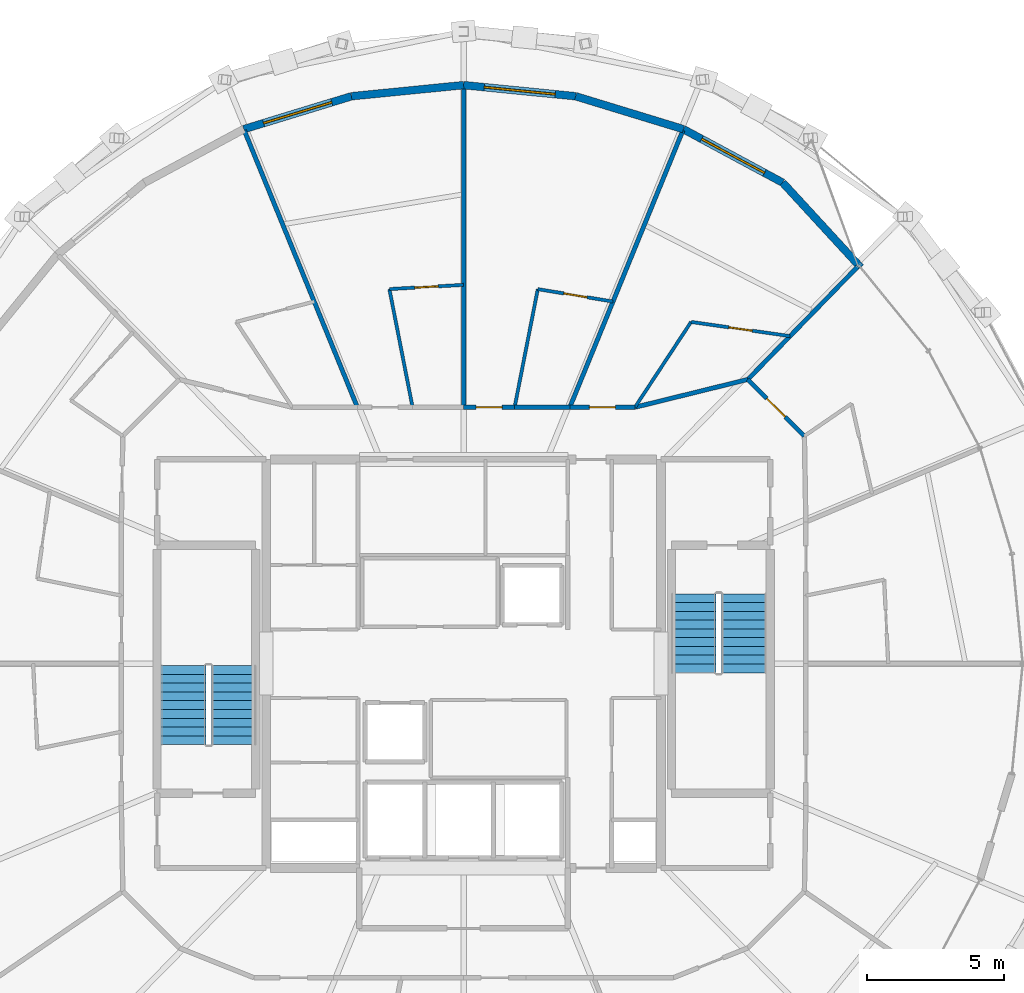
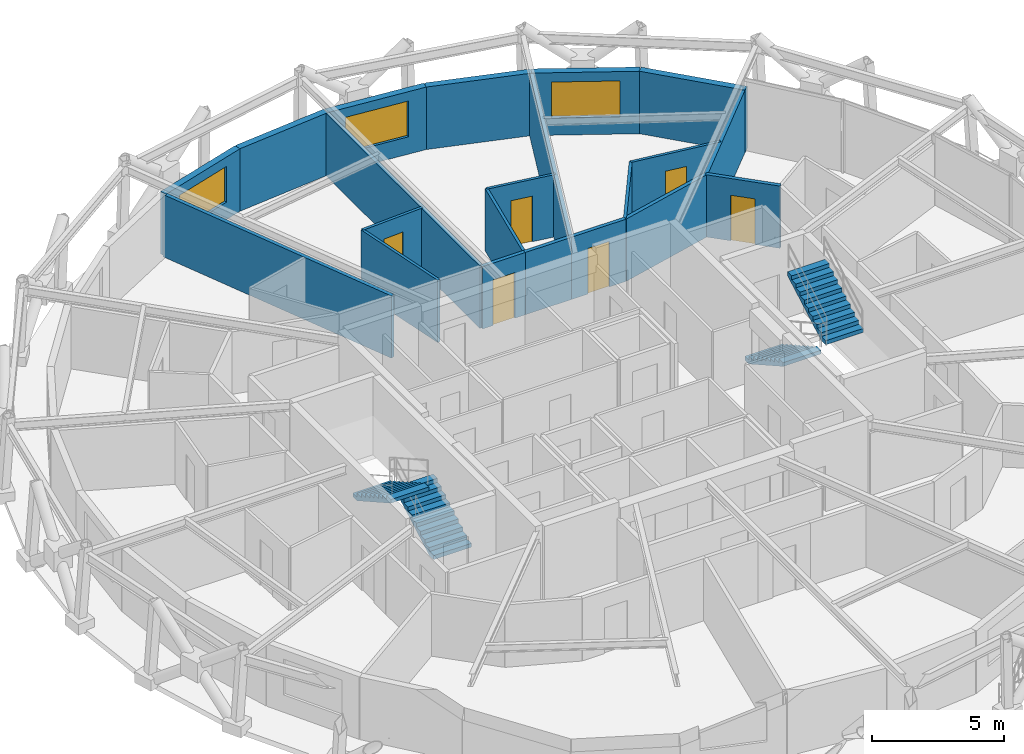
# One storey, part 14 of 15: 21 walls, 6 doors, 4 stair flights, 3 windows, 9 openings, 2 elements without a shape of their own.
"""IFC4 building model written with IfcOpenShell, lengths in metres."""

from ifc_helpers import new_model, si_unit, direction, frame, frame_2d, origin, place, context, subcontext, project, spatial, polyline, rectangle, outline, extrude, material, layer, layer_set, type_object, element, fill, aggregate, save


model = new_model("IFC4")

# Units and contexts
model_context = context("Model", 3, precision=1e-05, world=origin(), true_north=direction((0.0, 1.0)))
body_context = subcontext(model_context, "Body", "Model", "MODEL_VIEW")
ifc_project = project(units=[si_unit("LENGTHUNIT", "METRE"), si_unit("AREAUNIT", "SQUARE_METRE"), si_unit("VOLUMEUNIT", "CUBIC_METRE"), si_unit("PLANEANGLEUNIT", "RADIAN"), si_unit("MASSUNIT", "GRAM", prefix="KILO")], contexts=[model_context])

# Site, building, storey
site_placement = place(None, origin())
site = spatial("IfcSite", under=ifc_project, at=site_placement, CompositionType="ELEMENT")
building_placement = place(site_placement, origin())
building = spatial("IfcBuilding", under=site, at=building_placement, Name="Veldorina Hangang Commons", CompositionType="ELEMENT")
storey_placement = place(building_placement, frame((0.0, 0.0, 250.800048828125)))
storey = spatial("IfcBuildingStorey", under=building, at=storey_placement, Name="L65", CompositionType="ELEMENT", Elevation=250.800048828125)

# Wall
ifc_material_1 = material(Name="Stone Roman Travertine", Category="masonry")
ifc_layer_1 = layer(ifc_material_1, 0.280029296875)
ifc_layer_set_1 = layer_set([ifc_layer_1], Name="Stone Roman Travertine")
wall_type_1 = type_object("IfcWallType", Name="EW-TRAV-280", PredefinedType="STANDARD", material=ifc_layer_set_1)
wall_1_placement = place(storey_placement, frame((46.476806640625, 38.45458984375, 0.0), z_axis=(0.0, 0.0, 1.0), x_axis=(-0.677046444882, 0.735940290698, 0.0)))
element("IfcWall", 1, at=wall_1_placement, inside=storey, type_object=wall_type_1, Name="L65 travertine facade wall 04", PredefinedType="STANDARD", context=body_context, shape_type="SweptSolid", body=[
    extrude(rectangle(XDim=4.195068359375, YDim=0.280029296875, at=frame_2d((2.09765625, 0.0))), origin(), (0.0, 0.0, 1.0), 2.8798828125),
])

# Wall, opening, window
wall_2_placement = place(storey_placement, frame((43.636474609375, 41.5419921875, 0.0), z_axis=(0.0, 0.0, 1.0), x_axis=(-0.880482536711, 0.474078582671, 0.0)))
wall_2 = element("IfcWall", 2, at=wall_2_placement, inside=storey, type_object=wall_type_1, Name="L65 travertine facade wall 05", PredefinedType="STANDARD", context=body_context, shape_type="SweptSolid", body=[
    extrude(rectangle(XDim=4.112548828125, YDim=0.280029296875, at=frame_2d((2.05615234375, 0.0))), origin(), (0.0, 0.0, 1.0), 2.8798828125),
])
opening_1_placement = place(wall_2_placement, frame((0.75634765625, 0.0, 0.800048828125)))
opening_1 = element("IfcOpeningElement", 3, at=opening_1_placement, cuts=wall_2, Name="Opening W-02", PredefinedType="OPENING", context=body_context, shape_type="SweptSolid", body=[
    extrude(rectangle(XDim=2.60009765625, YDim=1.64990234375, at=frame_2d((1.300048828125, 0.824951171875))), frame((0.0, 0.14990234375, 0.0), z_axis=(0.0, -1.0, 0.0), x_axis=(1.0, 0.0, 0.0)), (0.0, 0.0, 1.0), 0.300048828125),
])
ifc_material_2 = material(Name="Glass Low-E Triple IGU", Category="glass")
window_type = type_object("IfcWindowType", Name="WIN-TWR-2600", PartitioningType="SINGLE_PANEL", PredefinedType="WINDOW", material=ifc_material_2)
window_1_placement = place(opening_1_placement, origin())
window_1 = element("IfcWindow", 4, at=window_1_placement, inside=storey, type_object=window_type, Name="L65 facade window 05", OverallHeight=1.64990234375, OverallWidth=2.60009765625, PartitioningType="SINGLE_PANEL", PredefinedType="WINDOW", context=body_context, shape_type="SweptSolid", body=[
    extrude(rectangle(XDim=2.60009765625, YDim=1.64990234375, at=frame_2d((1.300048828125, 0.824951171875))), frame((0.0, 0.030029296875, 0.0), z_axis=(0.0, -1.0, 0.0), x_axis=(1.0, 0.0, 0.0)), (0.0, 0.0, 1.0), 0.06005859375),
])
fill(opening_1, window_1)

# Wall
wall_3_placement = place(storey_placement, frame((40.015380859375, 43.49169921875, 0.0), z_axis=(0.0, 0.0, 1.0), x_axis=(-0.956361719018, 0.292185322009, 0.0)))
element("IfcWall", 5, at=wall_3_placement, inside=storey, type_object=wall_type_1, Name="L65 travertine facade wall 06", PredefinedType="STANDARD", context=body_context, shape_type="SweptSolid", body=[
    extrude(rectangle(XDim=4.1083984375, YDim=0.280029296875, at=frame_2d((2.05419921875, 0.0))), origin(), (0.0, 0.0, 1.0), 2.8798828125),
])

# Wall, opening, window
wall_4_placement = place(storey_placement, frame((36.086181640625, 44.692138671875, 0.0), z_axis=(0.0, 0.0, 1.0), x_axis=(-0.995111670603, 0.098756078441, 0.0)))
wall_4 = element("IfcWall", 6, at=wall_4_placement, inside=storey, type_object=wall_type_1, Name="L65 travertine facade wall 07", PredefinedType="STANDARD", context=body_context, shape_type="SweptSolid", body=[
    extrude(rectangle(XDim=4.106201171875, YDim=0.280029296875, at=frame_2d((2.05322265625, 0.0))), origin(), (0.0, 0.0, 1.0), 2.8798828125),
])
opening_2_placement = place(wall_4_placement, frame((0.753173828125, 0.0, 0.800048828125)))
opening_2 = element("IfcOpeningElement", 7, at=opening_2_placement, cuts=wall_4, Name="Opening W-02", PredefinedType="OPENING", context=body_context, shape_type="SweptSolid", body=[
    extrude(rectangle(XDim=2.60009765625, YDim=1.64990234375, at=frame_2d((1.300048828125, 0.824951171875))), frame((0.0, 0.14990234375, 0.0), z_axis=(0.0, -1.0, 0.0), x_axis=(1.0, 0.0, 0.0)), (0.0, 0.0, 1.0), 0.300048828125),
])
window_2_placement = place(opening_2_placement, origin())
window_2 = element("IfcWindow", 8, at=window_2_placement, inside=storey, type_object=window_type, Name="L65 facade window 07", OverallHeight=1.64990234375, OverallWidth=2.60009765625, PartitioningType="SINGLE_PANEL", PredefinedType="WINDOW", context=body_context, shape_type="SweptSolid", body=[
    extrude(rectangle(XDim=2.60009765625, YDim=1.64990234375, at=frame_2d((1.300048828125, 0.824951171875))), frame((0.0, 0.030029296875, 0.0), z_axis=(0.0, -1.0, 0.0), x_axis=(1.0, 0.0, 0.0)), (0.0, 0.0, 1.0), 0.06005859375),
])
fill(opening_2, window_2)

# Wall
wall_5_placement = place(storey_placement, frame((32.0, 45.09765625, 0.0), z_axis=(0.0, 0.0, 1.0), x_axis=(-0.995111670603, -0.098756078441, 0.0)))
element("IfcWall", 9, at=wall_5_placement, inside=storey, type_object=wall_type_1, Name="L65 travertine facade wall 08", PredefinedType="STANDARD", context=body_context, shape_type="SweptSolid", body=[
    extrude(rectangle(XDim=4.106201171875, YDim=0.280029296875, at=frame_2d((2.05322265625, 0.0))), origin(), (0.0, 0.0, 1.0), 2.8798828125),
])

# Wall, opening, window
wall_6_placement = place(storey_placement, frame((27.913818359375, 44.692138671875, 0.0), z_axis=(0.0, 0.0, 1.0), x_axis=(-0.956361719018, -0.292185322009, 0.0)))
wall_6 = element("IfcWall", 10, at=wall_6_placement, inside=storey, type_object=wall_type_1, Name="L65 travertine facade wall 09", PredefinedType="STANDARD", context=body_context, shape_type="SweptSolid", body=[
    extrude(rectangle(XDim=4.1083984375, YDim=0.280029296875, at=frame_2d((2.05419921875, 0.0))), origin(), (0.0, 0.0, 1.0), 2.8798828125),
])
opening_3_placement = place(wall_6_placement, frame((0.75439453125, 0.0, 0.800048828125)))
opening_3 = element("IfcOpeningElement", 11, at=opening_3_placement, cuts=wall_6, Name="Opening W-02", PredefinedType="OPENING", context=body_context, shape_type="SweptSolid", body=[
    extrude(rectangle(XDim=2.60009765625, YDim=1.64990234375, at=frame_2d((1.300048828125, 0.824951171875))), frame((0.0, 0.14990234375, 0.0), z_axis=(0.0, -1.0, 0.0), x_axis=(1.0, 0.0, 0.0)), (0.0, 0.0, 1.0), 0.300048828125),
])
window_3_placement = place(opening_3_placement, origin())
window_3 = element("IfcWindow", 12, at=window_3_placement, inside=storey, type_object=window_type, Name="L65 facade window 09", OverallHeight=1.64990234375, OverallWidth=2.60009765625, PartitioningType="SINGLE_PANEL", PredefinedType="WINDOW", context=body_context, shape_type="SweptSolid", body=[
    extrude(rectangle(XDim=2.60009765625, YDim=1.64990234375, at=frame_2d((1.300048828125, 0.824951171875))), frame((0.0, 0.030029296875, 0.0), z_axis=(0.0, -1.0, 0.0), x_axis=(1.0, 0.0, 0.0)), (0.0, 0.0, 1.0), 0.06005859375),
])
fill(opening_3, window_3)

# Wall, opening, door
ifc_material_3 = material(Name="Gypsum Fire-Rated Twin Stud Wall", Category="gypsum")
ifc_layer_2 = layer(ifc_material_3, 0.159912109375)
ifc_layer_set_2 = layer_set([ifc_layer_2], Name="Gypsum Fire-Rated Twin Stud Wall")
wall_type_2 = type_object("IfcWallType", Name="WL-FIRE-160", PredefinedType="SOLIDWALL", material=ifc_layer_set_2)
wall_7_placement = place(storey_placement, frame((44.4267578125, 32.30322265625, 0.0), z_axis=(0.0, 0.0, 1.0), x_axis=(-0.707106781187, 0.707106781187, 0.0)))
wall_7 = element("IfcWall", 13, at=wall_7_placement, inside=storey, type_object=wall_type_2, Name="L65 Compact collar outer wall 03 057", PredefinedType="SOLIDWALL", context=body_context, shape_type="SweptSolid", body=[
    extrude(rectangle(XDim=2.915771484375, YDim=0.159912109375, at=frame_2d((1.4580078125, 0.0))), origin(), (0.0, 0.0, 1.0), 2.869873046875),
])
opening_4_placement = place(wall_7_placement, frame((0.98291015625, 0.0, 0.0)))
opening_4 = element("IfcOpeningElement", 14, at=opening_4_placement, cuts=wall_7, Name="Opening D-03", PredefinedType="OPENING", context=body_context, shape_type="SweptSolid", body=[
    extrude(rectangle(XDim=0.949951171875, YDim=2.10009765625, at=frame_2d((0.47509765625, 1.050048828125))), frame((0.0, 0.08984375, 0.0), z_axis=(0.0, -1.0, 0.0), x_axis=(1.0, 0.0, 0.0)), (0.0, 0.0, 1.0), 0.179931640625),
])
ifc_material_4 = material(Name="Timber Fire-Rated Entrance Core", Category="wood")
door_type_1 = type_object("IfcDoorType", Name="DR-UNIT-950", OperationType="SINGLE_SWING_RIGHT", PredefinedType="DOOR", material=ifc_material_4)
door_1_placement = place(opening_4_placement, origin())
door_1 = element("IfcDoor", 15, at=door_1_placement, inside=storey, type_object=door_type_1, Name="L65 Studio 3 entrance door 026", OperationType="SINGLE_SWING_RIGHT", OverallHeight=2.10009765625, OverallWidth=0.949951171875, PredefinedType="DOOR", context=body_context, shape_type="SweptSolid", body=[
    extrude(rectangle(XDim=0.949951171875, YDim=2.10009765625, at=frame_2d((0.47509765625, 1.050048828125))), frame((0.0, 0.02490234375, 0.0), z_axis=(0.0, -1.0, 0.0), x_axis=(1.0, 0.0, 0.0)), (0.0, 0.0, 1.0), 0.050048828125),
])
fill(opening_4, door_1)

# Wall
wall_8_placement = place(storey_placement, frame((42.364990234375, 34.364990234375, 0.0), z_axis=(0.0, 0.0, 1.0), x_axis=(-0.970939799552, -0.239323850978, 0.0)))
element("IfcWall", 16, at=wall_8_placement, inside=storey, type_object=wall_type_2, Name="L65 Compact collar outer wall 04 058", PredefinedType="SOLIDWALL", context=body_context, shape_type="SweptSolid", body=[
    extrude(rectangle(XDim=4.24072265625, YDim=0.159912109375, at=frame_2d((2.120361328125, 0.0))), origin(), (0.0, 0.0, 1.0), 2.869873046875),
])

# Wall, opening, door
wall_9_placement = place(storey_placement, frame((38.24755859375, 33.35009765625, 0.0), z_axis=(0.0, 0.0, 1.0), x_axis=(-1.0, 0.0, 0.0)))
wall_9 = element("IfcWall", 17, at=wall_9_placement, inside=storey, type_object=wall_type_2, Name="L65 Compact collar outer wall 05 059", PredefinedType="SOLIDWALL", context=body_context, shape_type="SweptSolid", body=[
    extrude(rectangle(XDim=2.374755859375, YDim=0.159912109375, at=frame_2d((1.1875, 0.0))), origin(), (0.0, 0.0, 1.0), 2.869873046875),
])
opening_5_placement = place(wall_9_placement, frame((0.71240234375, 0.0, 0.0)))
opening_5 = element("IfcOpeningElement", 18, at=opening_5_placement, cuts=wall_9, Name="Opening D-03", PredefinedType="OPENING", context=body_context, shape_type="SweptSolid", body=[
    extrude(rectangle(XDim=0.949951171875, YDim=2.10009765625, at=frame_2d((0.47509765625, 1.050048828125))), frame((0.0, 0.08984375, 0.0), z_axis=(0.0, -1.0, 0.0), x_axis=(1.0, 0.0, 0.0)), (0.0, 0.0, 1.0), 0.179931640625),
])
door_2_placement = place(opening_5_placement, origin())
door_2 = element("IfcDoor", 19, at=door_2_placement, inside=storey, type_object=door_type_1, Name="L65 Studio 4 entrance door 028", OperationType="SINGLE_SWING_RIGHT", OverallHeight=2.10009765625, OverallWidth=0.949951171875, PredefinedType="DOOR", context=body_context, shape_type="SweptSolid", body=[
    extrude(rectangle(XDim=0.949951171875, YDim=2.10009765625, at=frame_2d((0.47509765625, 1.050048828125))), frame((0.0, 0.02490234375, 0.0), z_axis=(0.0, -1.0, 0.0), x_axis=(1.0, 0.0, 0.0)), (0.0, 0.0, 1.0), 0.050048828125),
])
fill(opening_5, door_2)

# Wall
wall_10_placement = place(storey_placement, frame((35.872802734375, 33.35009765625, 0.0), z_axis=(0.0, 0.0, 1.0), x_axis=(-1.0, 0.0, 0.0)))
element("IfcWall", 20, at=wall_10_placement, inside=storey, type_object=wall_type_2, Name="L65 Compact collar outer wall 06 060", PredefinedType="SOLIDWALL", context=body_context, shape_type="SweptSolid", body=[
    extrude(rectangle(XDim=2.012939453125, YDim=0.159912109375, at=frame_2d((1.00634765625, 0.0))), origin(), (0.0, 0.0, 1.0), 2.869873046875),
])

# Wall, opening, door
wall_11_placement = place(storey_placement, frame((33.85986328125, 33.35009765625, 0.0), z_axis=(0.0, 0.0, 1.0), x_axis=(-1.0, 0.0, 0.0)))
wall_11 = element("IfcWall", 21, at=wall_11_placement, inside=storey, type_object=wall_type_2, Name="L65 Compact collar outer wall 07 061", PredefinedType="SOLIDWALL", context=body_context, shape_type="SweptSolid", body=[
    extrude(rectangle(XDim=1.85986328125, YDim=0.159912109375, at=frame_2d((0.929931640625, 0.0))), origin(), (0.0, 0.0, 1.0), 2.869873046875),
])
opening_6_placement = place(wall_11_placement, frame((0.454833984375, 0.0, 0.0)))
opening_6 = element("IfcOpeningElement", 22, at=opening_6_placement, cuts=wall_11, Name="Opening D-03", PredefinedType="OPENING", context=body_context, shape_type="SweptSolid", body=[
    extrude(rectangle(XDim=0.949951171875, YDim=2.10009765625, at=frame_2d((0.47509765625, 1.050048828125))), frame((0.0, 0.08984375, 0.0), z_axis=(0.0, -1.0, 0.0), x_axis=(1.0, 0.0, 0.0)), (0.0, 0.0, 1.0), 0.179931640625),
])
door_3_placement = place(opening_6_placement, origin())
door_3 = element("IfcDoor", 23, at=door_3_placement, inside=storey, type_object=door_type_1, Name="L65 Studio 5 entrance door 030", OperationType="SINGLE_SWING_RIGHT", OverallHeight=2.10009765625, OverallWidth=0.949951171875, PredefinedType="DOOR", context=body_context, shape_type="SweptSolid", body=[
    extrude(rectangle(XDim=0.949951171875, YDim=2.10009765625, at=frame_2d((0.47509765625, 1.050048828125))), frame((0.0, 0.02490234375, 0.0), z_axis=(0.0, -1.0, 0.0), x_axis=(1.0, 0.0, 0.0)), (0.0, 0.0, 1.0), 0.050048828125),
])
fill(opening_6, door_3)

# Walls
wall_12_placement = place(storey_placement, frame((42.364990234375, 34.364990234375, 0.0), z_axis=(0.0, 0.0, 1.0), x_axis=(0.697753092732, 0.716338342952, 0.0)))
element("IfcWall", 24, at=wall_12_placement, inside=storey, type_object=wall_type_2, Name="L65 Unit party wall 04 093", PredefinedType="SOLIDWALL", context=body_context, shape_type="SweptSolid", body=[
    extrude(rectangle(XDim=5.753662109375, YDim=0.159912109375, at=frame_2d((2.876953125, 0.0))), origin(), (0.0, 0.0, 1.0), 2.869873046875),
])
wall_13_placement = place(storey_placement, frame((35.872802734375, 33.35009765625, 0.0), z_axis=(0.0, 0.0, 1.0), x_axis=(0.378155079747, 0.925742262005, 0.0)))
element("IfcWall", 25, at=wall_13_placement, inside=storey, type_object=wall_type_2, Name="L65 Unit party wall 06 096", PredefinedType="SOLIDWALL", context=body_context, shape_type="SweptSolid", body=[
    extrude(rectangle(XDim=10.905029296875, YDim=0.159912109375, at=frame_2d((5.45263671875, 0.0))), origin(), (0.0, 0.0, 1.0), 2.869873046875),
])
wall_14_placement = place(storey_placement, frame((32.0, 33.35009765625, 0.0), z_axis=(0.0, 0.0, 1.0), x_axis=(0.0, 1.0, 0.0)))
element("IfcWall", 26, at=wall_14_placement, inside=storey, type_object=wall_type_2, Name="L65 Unit party wall 08 099", PredefinedType="SOLIDWALL", context=body_context, shape_type="SweptSolid", body=[
    extrude(rectangle(XDim=11.697509765625, YDim=0.159912109375, at=frame_2d((5.8486328125, 0.0))), origin(), (0.0, 0.0, 1.0), 2.869873046875),
])
wall_15_placement = place(storey_placement, frame((28.127197265625, 33.35009765625, 0.0), z_axis=(0.0, 0.0, 1.0), x_axis=(-0.378155079747, 0.925742262005, 0.0)))
element("IfcWall", 27, at=wall_15_placement, inside=storey, type_object=wall_type_2, Name="L65 Unit party wall 10 102", PredefinedType="SOLIDWALL", context=body_context, shape_type="SweptSolid", body=[
    extrude(rectangle(XDim=10.905029296875, YDim=0.159912109375, at=frame_2d((5.45263671875, 0.0))), origin(), (0.0, 0.0, 1.0), 2.869873046875),
])

# Wall, opening, door
ifc_material_5 = material(Name="Gypsum Acoustic Stud Partition", Category="gypsum")
ifc_layer_3 = layer(ifc_material_5, 0.1201171875)
ifc_layer_set_3 = layer_set([ifc_layer_3], Name="Gypsum Acoustic Stud Partition")
wall_type_3 = type_object("IfcWallType", Name="WL-PART-120", PredefinedType="PARTITIONING", material=ifc_layer_set_3)
wall_16_placement = place(storey_placement, frame((43.90380859375, 35.94482421875, 0.0), z_axis=(0.0, 0.0, 1.0), x_axis=(-0.989850131558, 0.142115154206, 0.0)))
wall_16 = element("IfcWall", 28, at=wall_16_placement, inside=storey, type_object=wall_type_3, Name="L65 Studio 4 bath front wall 094", PredefinedType="PARTITIONING", context=body_context, shape_type="SweptSolid", body=[
    extrude(rectangle(XDim=3.6455078125, YDim=0.1201171875, at=frame_2d((1.82275390625, 0.0))), origin(), (0.0, 0.0, 1.0), 2.869873046875),
])
opening_7_placement = place(wall_16_placement, frame((1.392822265625, 0.0, 0.0)))
opening_7 = element("IfcOpeningElement", 29, at=opening_7_placement, cuts=wall_16, Name="Opening D-01", PredefinedType="OPENING", context=body_context, shape_type="SweptSolid", body=[
    extrude(rectangle(XDim=0.860107421875, YDim=2.10009765625, at=frame_2d((0.43017578125, 1.050048828125))), frame((0.0, 0.070068359375, 0.0), z_axis=(0.0, -1.0, 0.0), x_axis=(1.0, 0.0, 0.0)), (0.0, 0.0, 1.0), 0.14013671875),
])
ifc_material_6 = material(Name="Timber Moisture-Resistant Core", Category="wood")
door_type_2 = type_object("IfcDoorType", Name="DR-WET-860", OperationType="SINGLE_SWING_LEFT", PredefinedType="DOOR", material=ifc_material_6)
door_4_placement = place(opening_7_placement, origin())
door_4 = element("IfcDoor", 30, at=door_4_placement, inside=storey, type_object=door_type_2, Name="L65 Studio 4 bathroom door 027", OperationType="SINGLE_SWING_LEFT", OverallHeight=2.10009765625, OverallWidth=0.860107421875, PredefinedType="DOOR", context=body_context, shape_type="SweptSolid", body=[
    extrude(rectangle(XDim=0.860107421875, YDim=2.10009765625, at=frame_2d((0.43017578125, 1.050048828125))), frame((0.0, 0.02490234375, 0.0), z_axis=(0.0, -1.0, 0.0), x_axis=(1.0, 0.0, 0.0)), (0.0, 0.0, 1.0), 0.050048828125),
])
fill(opening_7, door_4)

# Wall
wall_17_placement = place(storey_placement, frame((38.24755859375, 33.35009765625, 0.0), z_axis=(0.0, 0.0, 1.0), x_axis=(0.549609280911, 0.835421832571, 0.0)))
element("IfcWall", 31, at=wall_17_placement, inside=storey, type_object=wall_type_3, Name="L65 Studio 4 bath side wall 095", PredefinedType="PARTITIONING", context=body_context, shape_type="SweptSolid", body=[
    extrude(rectangle(XDim=3.72607421875, YDim=0.1201171875, at=frame_2d((1.863037109375, 0.0))), origin(), (0.0, 0.0, 1.0), 2.869873046875),
])

# Wall, opening, door
wall_18_placement = place(storey_placement, frame((37.447021484375, 37.203857421875, 0.0), z_axis=(0.0, 0.0, 1.0), x_axis=(-0.986441372128, 0.164114043742, 0.0)))
wall_18 = element("IfcWall", 32, at=wall_18_placement, inside=storey, type_object=wall_type_3, Name="L65 Studio 5 bath front wall 097", PredefinedType="PARTITIONING", context=body_context, shape_type="SweptSolid", body=[
    extrude(rectangle(XDim=2.77880859375, YDim=0.1201171875, at=frame_2d((1.389404296875, 0.0))), origin(), (0.0, 0.0, 1.0), 2.869873046875),
])
opening_8_placement = place(wall_18_placement, frame((0.95947265625, 0.0, 0.0)))
opening_8 = element("IfcOpeningElement", 33, at=opening_8_placement, cuts=wall_18, Name="Opening D-01", PredefinedType="OPENING", context=body_context, shape_type="SweptSolid", body=[
    extrude(rectangle(XDim=0.860107421875, YDim=2.10009765625, at=frame_2d((0.43017578125, 1.050048828125))), frame((0.0, 0.070068359375, 0.0), z_axis=(0.0, -1.0, 0.0), x_axis=(1.0, 0.0, 0.0)), (0.0, 0.0, 1.0), 0.14013671875),
])
door_5_placement = place(opening_8_placement, origin())
door_5 = element("IfcDoor", 34, at=door_5_placement, inside=storey, type_object=door_type_2, Name="L65 Studio 5 bathroom door 029", OperationType="SINGLE_SWING_LEFT", OverallHeight=2.10009765625, OverallWidth=0.860107421875, PredefinedType="DOOR", context=body_context, shape_type="SweptSolid", body=[
    extrude(rectangle(XDim=0.860107421875, YDim=2.10009765625, at=frame_2d((0.43017578125, 1.050048828125))), frame((0.0, 0.02490234375, 0.0), z_axis=(0.0, -1.0, 0.0), x_axis=(1.0, 0.0, 0.0)), (0.0, 0.0, 1.0), 0.050048828125),
])
fill(opening_8, door_5)

# Wall
wall_19_placement = place(storey_placement, frame((33.85986328125, 33.35009765625, 0.0), z_axis=(0.0, 0.0, 1.0), x_axis=(0.192608630394, 0.981275657243, 0.0)))
element("IfcWall", 35, at=wall_19_placement, inside=storey, type_object=wall_type_3, Name="L65 Studio 5 bath side wall 098", PredefinedType="PARTITIONING", context=body_context, shape_type="SweptSolid", body=[
    extrude(rectangle(XDim=4.39208984375, YDim=0.1201171875, at=frame_2d((2.196044921875, 0.0))), origin(), (0.0, 0.0, 1.0), 2.869873046875),
])

# Wall, opening, door
wall_20_placement = place(storey_placement, frame((32.0, 37.814208984375, 0.0), z_axis=(0.0, 0.0, 1.0), x_axis=(-0.998378070768, -0.056931782074, 0.0)))
wall_20 = element("IfcWall", 36, at=wall_20_placement, inside=storey, type_object=wall_type_3, Name="L65 Studio 6 bath front wall 100", PredefinedType="PARTITIONING", context=body_context, shape_type="SweptSolid", body=[
    extrude(rectangle(XDim=2.710205078125, YDim=0.1201171875, at=frame_2d((1.35498046875, 0.0))), origin(), (0.0, 0.0, 1.0), 2.869873046875),
])
opening_9_placement = place(wall_20_placement, frame((0.925048828125, 0.0, 0.0)))
opening_9 = element("IfcOpeningElement", 37, at=opening_9_placement, cuts=wall_20, Name="Opening D-01", PredefinedType="OPENING", context=body_context, shape_type="SweptSolid", body=[
    extrude(rectangle(XDim=0.860107421875, YDim=2.10009765625, at=frame_2d((0.43017578125, 1.050048828125))), frame((0.0, 0.070068359375, 0.0), z_axis=(0.0, -1.0, 0.0), x_axis=(1.0, 0.0, 0.0)), (0.0, 0.0, 1.0), 0.14013671875),
])
door_6_placement = place(opening_9_placement, origin())
door_6 = element("IfcDoor", 38, at=door_6_placement, inside=storey, type_object=door_type_2, Name="L65 Studio 6 bathroom door 031", OperationType="SINGLE_SWING_LEFT", OverallHeight=2.10009765625, OverallWidth=0.860107421875, PredefinedType="DOOR", context=body_context, shape_type="SweptSolid", body=[
    extrude(rectangle(XDim=0.860107421875, YDim=2.10009765625, at=frame_2d((0.43017578125, 1.050048828125))), frame((0.0, 0.02490234375, 0.0), z_axis=(0.0, -1.0, 0.0), x_axis=(1.0, 0.0, 0.0)), (0.0, 0.0, 1.0), 0.050048828125),
])
fill(opening_9, door_6)

# Wall
wall_21_placement = place(storey_placement, frame((30.14013671875, 33.35009765625, 0.0), z_axis=(0.0, 0.0, 1.0), x_axis=(-0.192608630394, 0.981275657243, 0.0)))
element("IfcWall", 39, at=wall_21_placement, inside=storey, type_object=wall_type_3, Name="L65 Studio 6 bath side wall 101", PredefinedType="PARTITIONING", context=body_context, shape_type="SweptSolid", body=[
    extrude(rectangle(XDim=4.39208984375, YDim=0.1201171875, at=frame_2d((2.196044921875, 0.0))), origin(), (0.0, 0.0, 1.0), 2.869873046875),
])

# Stair, stair flights
ifc_material_7 = material(Name="Concrete C40/50", Category="concrete")
stair_type = type_object("IfcStairType", Name="STR-DOG-1650-20R", PredefinedType="HALF_TURN_STAIR", material=ifc_material_7)
stair_1_placement = place(storey_placement, origin())
stair_1 = element("IfcStair", 40, at=stair_1_placement, inside=storey, type_object=stair_type, Name="L65 Exit stair ST-1", PredefinedType="HALF_TURN_STAIR")
stair_flight_type = type_object("IfcStairFlightType", Name="SFL-STR-1650-20R", PredefinedType="STRAIGHT", material=ifc_material_7)
stair_flight_1_placement = place(storey_placement, frame((23.625, 21.050048828125, 0.0), z_axis=(0.0, 0.0, 1.0), x_axis=(0.0, 1.0, 0.0)))
stair_flight_1 = element("IfcStairFlight", 41, at=stair_flight_1_placement, type_object=stair_flight_type, Name="ST-1 flight 1", NumberOfRisers=10, NumberOfTreads=9, PredefinedType="STRAIGHT", RiserHeight=0.18, TreadLength=0.32, context=body_context, shape_type="SweptSolid", body=[
    extrude(outline(polyline([(0.0, 0.0), (0.0, 0.179931640625), (0.320068359375, 0.179931640625), (0.320068359375, 0.360107421875), (0.639892578125, 0.360107421875), (0.639892578125, 0.5400390625), (0.9599609375, 0.5400390625), (0.9599609375, 0.719970703125), (1.280029296875, 0.719970703125), (1.280029296875, 0.89990234375), (1.60009765625, 0.89990234375), (1.60009765625, 1.080078125), (1.919921875, 1.080078125), (1.919921875, 1.260009765625), (2.239990234375, 1.260009765625), (2.239990234375, 1.43994140625), (2.56005859375, 1.43994140625), (2.56005859375, 1.6201171875), (2.8798828125, 1.6201171875), (2.8798828125, 1.800048828125), (2.8798828125, 1.447998046875), (0.3056640625, 0.0), (0.0, 0.0)])), frame((0.0, 0.824951171875, 0.0), z_axis=(0.0, -1.0, 0.0), x_axis=(1.0, 0.0, 0.0)), (0.0, 0.0, 1.0), 1.64990234375),
])
stair_flight_2_placement = place(storey_placement, frame((21.77490234375, 23.929931640625, 1.800048828125), z_axis=(0.0, 0.0, 1.0), x_axis=(0.0, -1.0, 0.0)))
stair_flight_2 = element("IfcStairFlight", 42, at=stair_flight_2_placement, type_object=stair_flight_type, Name="ST-1 flight 2", NumberOfRisers=10, NumberOfTreads=9, PredefinedType="STRAIGHT", RiserHeight=0.18, TreadLength=0.32, context=body_context, shape_type="SweptSolid", body=[
    extrude(outline(polyline([(0.0, 0.0), (0.0, 0.179931640625), (0.320068359375, 0.179931640625), (0.320068359375, 0.360107421875), (0.639892578125, 0.360107421875), (0.639892578125, 0.5400390625), (0.9599609375, 0.5400390625), (0.9599609375, 0.719970703125), (1.280029296875, 0.719970703125), (1.280029296875, 0.89990234375), (1.60009765625, 0.89990234375), (1.60009765625, 1.080078125), (1.919921875, 1.080078125), (1.919921875, 1.260009765625), (2.239990234375, 1.260009765625), (2.239990234375, 1.43994140625), (2.56005859375, 1.43994140625), (2.56005859375, 1.6201171875), (2.8798828125, 1.6201171875), (2.8798828125, 1.800048828125), (2.8798828125, 1.447998046875), (0.3056640625, 0.0), (0.0, 0.0)])), frame((0.0, 0.824951171875, 0.0), z_axis=(0.0, -1.0, 0.0), x_axis=(1.0, 0.0, 0.0)), (0.0, 0.0, 1.0), 1.64990234375),
])
aggregate(stair_1, [stair_flight_1, stair_flight_2])

stair_2_placement = place(storey_placement, origin())
stair_2 = element("IfcStair", 43, at=stair_2_placement, inside=storey, type_object=stair_type, Name="L65 Exit stair ST-2", PredefinedType="HALF_TURN_STAIR")
stair_flight_3_placement = place(storey_placement, frame((40.375, 26.550048828125, 0.0), z_axis=(0.0, 0.0, 1.0), x_axis=(0.0, -1.0, 0.0)))
stair_flight_3 = element("IfcStairFlight", 44, at=stair_flight_3_placement, type_object=stair_flight_type, Name="ST-2 flight 1", NumberOfRisers=10, NumberOfTreads=9, PredefinedType="STRAIGHT", RiserHeight=0.18, TreadLength=0.32, context=body_context, shape_type="SweptSolid", body=[
    extrude(outline(polyline([(0.0, 0.0), (0.0, 0.179931640625), (0.320068359375, 0.179931640625), (0.320068359375, 0.360107421875), (0.639892578125, 0.360107421875), (0.639892578125, 0.5400390625), (0.9599609375, 0.5400390625), (0.9599609375, 0.719970703125), (1.280029296875, 0.719970703125), (1.280029296875, 0.89990234375), (1.60009765625, 0.89990234375), (1.60009765625, 1.080078125), (1.919921875, 1.080078125), (1.919921875, 1.260009765625), (2.239990234375, 1.260009765625), (2.239990234375, 1.43994140625), (2.56005859375, 1.43994140625), (2.56005859375, 1.6201171875), (2.8798828125, 1.6201171875), (2.8798828125, 1.800048828125), (2.8798828125, 1.447998046875), (0.3056640625, 0.0), (0.0, 0.0)])), frame((0.0, 0.824951171875, 0.0), z_axis=(0.0, -1.0, 0.0), x_axis=(1.0, 0.0, 0.0)), (0.0, 0.0, 1.0), 1.64990234375),
])
stair_flight_4_placement = place(storey_placement, frame((42.22509765625, 23.669921875, 1.800048828125), z_axis=(0.0, 0.0, 1.0), x_axis=(0.0, 1.0, 0.0)))
stair_flight_4 = element("IfcStairFlight", 45, at=stair_flight_4_placement, type_object=stair_flight_type, Name="ST-2 flight 2", NumberOfRisers=10, NumberOfTreads=9, PredefinedType="STRAIGHT", RiserHeight=0.18, TreadLength=0.32, context=body_context, shape_type="SweptSolid", body=[
    extrude(outline(polyline([(0.0, 0.0), (0.0, 0.179931640625), (0.320068359375, 0.179931640625), (0.320068359375, 0.360107421875), (0.639892578125, 0.360107421875), (0.639892578125, 0.5400390625), (0.9599609375, 0.5400390625), (0.9599609375, 0.719970703125), (1.280029296875, 0.719970703125), (1.280029296875, 0.89990234375), (1.60009765625, 0.89990234375), (1.60009765625, 1.080078125), (1.919921875, 1.080078125), (1.919921875, 1.260009765625), (2.239990234375, 1.260009765625), (2.239990234375, 1.43994140625), (2.56005859375, 1.43994140625), (2.56005859375, 1.6201171875), (2.8798828125, 1.6201171875), (2.8798828125, 1.800048828125), (2.8798828125, 1.447998046875), (0.3056640625, 0.0), (0.0, 0.0)])), frame((0.0, 0.824951171875, 0.0), z_axis=(0.0, -1.0, 0.0), x_axis=(1.0, 0.0, 0.0)), (0.0, 0.0, 1.0), 1.64990234375),
])
aggregate(stair_2, [stair_flight_3, stair_flight_4])

save(model, "model.ifc")
